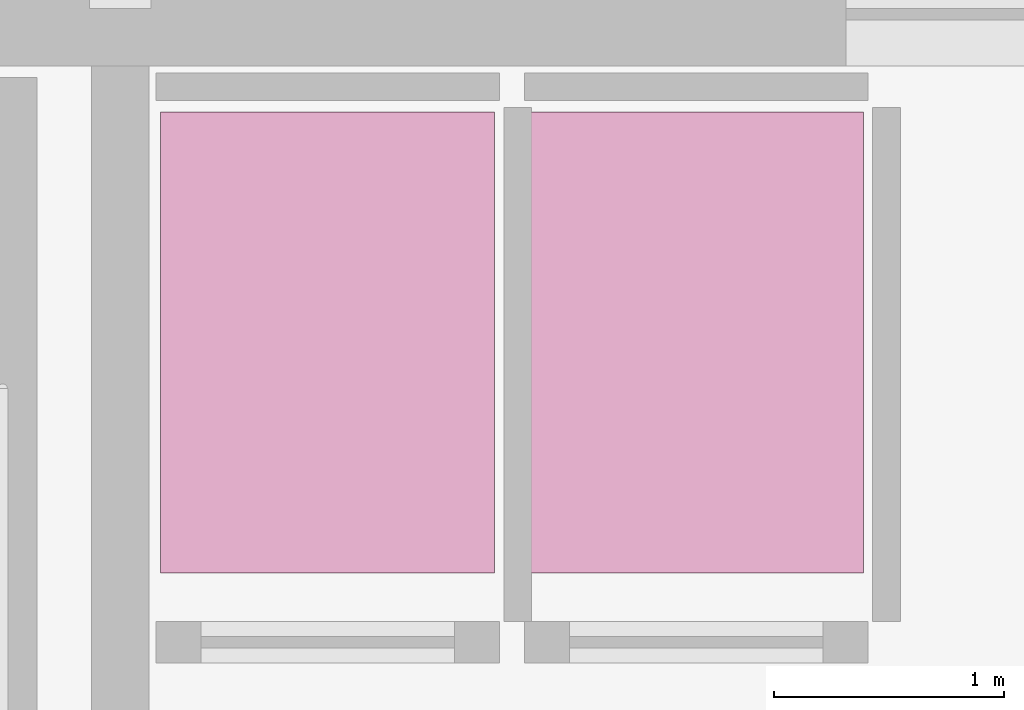
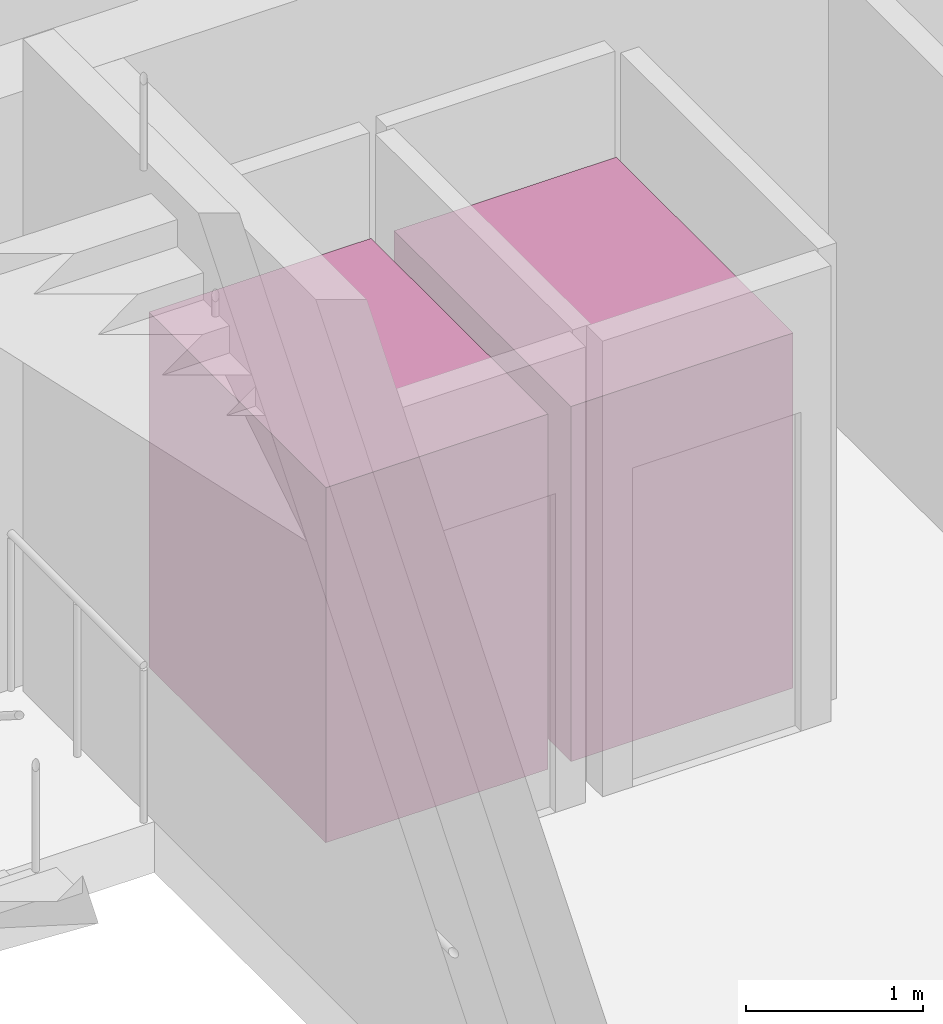
# One storey, part 18 of 18: 2 transport elements.
"""IFC4 building model written with IfcOpenShell, lengths in metres."""

from ifc_helpers import new_model, si_unit, direction, frame, origin, origin_2d, place, context, subcontext, project, spatial, rectangle, extrude, material, type_object, element, save


model = new_model("IFC4")

# Units and contexts
model_context = context("Model", 3, precision=1e-05, world=origin(), true_north=direction((0.0, 1.0)))
body_context = subcontext(model_context, "Body", "Model", "MODEL_VIEW")
ifc_project = project(units=[si_unit("LENGTHUNIT", "METRE"), si_unit("AREAUNIT", "SQUARE_METRE"), si_unit("VOLUMEUNIT", "CUBIC_METRE"), si_unit("PLANEANGLEUNIT", "RADIAN"), si_unit("MASSUNIT", "GRAM", prefix="KILO")], contexts=[model_context])

# Site, building, storey
site_placement = place(None, origin())
site = spatial("IfcSite", under=ifc_project, at=site_placement, CompositionType="ELEMENT")
building_placement = place(site_placement, origin())
building = spatial("IfcBuilding", under=site, at=building_placement, Name="Ndaravel Arena Tower", CompositionType="ELEMENT")
storey_placement = place(building_placement, frame((0.0, 0.0, -4.5)))
storey = spatial("IfcBuildingStorey", under=building, at=storey_placement, Name="B01", CompositionType="ELEMENT", Elevation=-4.5)

# Transport elements
ifc_material = material(Name="Steel S355", Category="steel")
transport_element_type = type_object("IfcTransportElementType", Name="TRAN-ELEV-PASS", PredefinedType="ELEVATOR", material=ifc_material)
for number, where, z_axis, x_axis, name in (
    (1, (43.550048828125, 13.550048828125, 0.0), (0.0, 0.0, 1.0), (1.0, 0.0, 0.0), "Lift PL-OBS1 Car"),
    (2, (45.14990234375, 13.550048828125, 0.0), (0.0, 0.0, 1.0), (1.0, 0.0, 0.0), "Lift PL-OBS2 Car"),
):
    element("IfcTransportElement", number, at=place(storey_placement, frame(where, z_axis=z_axis, x_axis=x_axis)), inside=storey, type_object=transport_element_type, Name=name, PredefinedType="ELEVATOR", context=body_context, shape_type="SweptSolid", body=[
        extrude(rectangle(XDim=1.449951171875, YDim=2.0, at=origin_2d()), origin(), (0.0, 0.0, 1.0), 2.449951171875),
    ])

save(model, "model.ifc")
